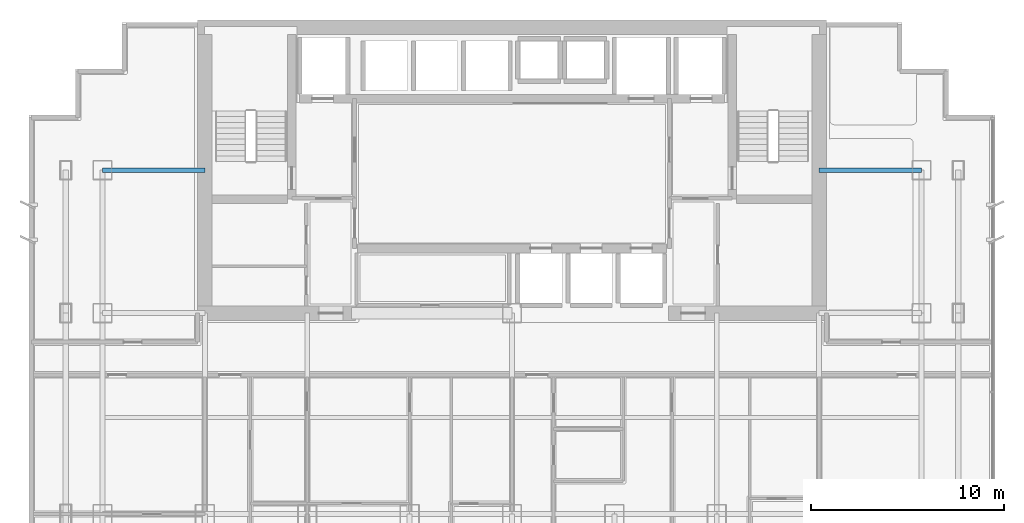
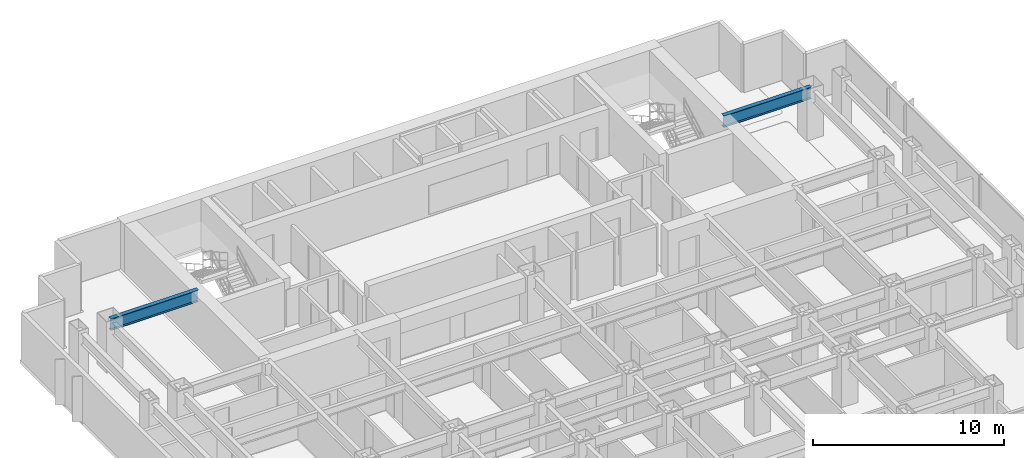
# One storey, part 4 of 12: 2 beams.
"""IFC4 building model written with IfcOpenShell, lengths in metres."""

from ifc_helpers import new_model, si_unit, direction, frame, origin, origin_2d, place, context, subcontext, project, spatial, i_section, extrude, material, material_profile, profile_set, type_object, element, save


model = new_model("IFC4")

# Units and contexts
model_context = context("Model", 3, precision=1e-05, world=origin(), true_north=direction((0.0, 1.0)))
body_context = subcontext(model_context, "Body", "Model", "MODEL_VIEW")
ifc_project = project(units=[si_unit("LENGTHUNIT", "METRE"), si_unit("AREAUNIT", "SQUARE_METRE"), si_unit("VOLUMEUNIT", "CUBIC_METRE"), si_unit("PLANEANGLEUNIT", "RADIAN"), si_unit("MASSUNIT", "GRAM", prefix="KILO")], contexts=[model_context])

# Site, building, storey
site_placement = place(None, origin())
site = spatial("IfcSite", under=ifc_project, at=site_placement, CompositionType="ELEMENT")
building_placement = place(site_placement, origin())
building = spatial("IfcBuilding", under=site, at=building_placement, Name="Qianlan Lanfeng Residences", CompositionType="ELEMENT")
storey_placement = place(building_placement, frame((0.0, 0.0, 101.5)))
storey = spatial("IfcBuildingStorey", under=building, at=storey_placement, Name="L27", CompositionType="ELEMENT", Elevation=101.5)

# Beams
ifc_material = material(Name="Steel SN490B", Category="steel")
ifc_material_profile = material_profile(ifc_material, i_section(OverallWidth=0.25, OverallDepth=0.75, WebThickness=0.013916015625, FlangeThickness=0.02490234375, at=origin_2d()), Name="H 750x250x14x25")
ifc_profile_set = profile_set([ifc_material_profile], Name="Steel SN490B")
beam_type = type_object("IfcBeamType", Name="G-850", PredefinedType="BEAM", material=ifc_profile_set)
for number, where, z_axis, x_axis, name in (
    (1, (5.300048828125, 32.60009765625, 2.715087890625), (1.0, 0.0, 0.0), (0.0, 1.0, 0.0), "Structural beam G-850"),
    (2, (42.39990234375, 32.60009765625, 2.715087890625), (1.0, 0.0, 0.0), (0.0, 1.0, 0.0), "Structural beam G-850"),
):
    element("IfcBeam", number, at=place(storey_placement, frame(where, z_axis=z_axis, x_axis=x_axis)), inside=storey, type_object=beam_type, Name=name, PredefinedType="BEAM", context=body_context, shape_type="SweptSolid", body=[
        extrude(i_section(OverallWidth=0.25, OverallDepth=0.75, WebThickness=0.013916015625, FlangeThickness=0.02490234375, at=origin_2d()), origin(), (0.0, 0.0, 1.0), 5.300048828125),
    ])

save(model, "model.ifc")
